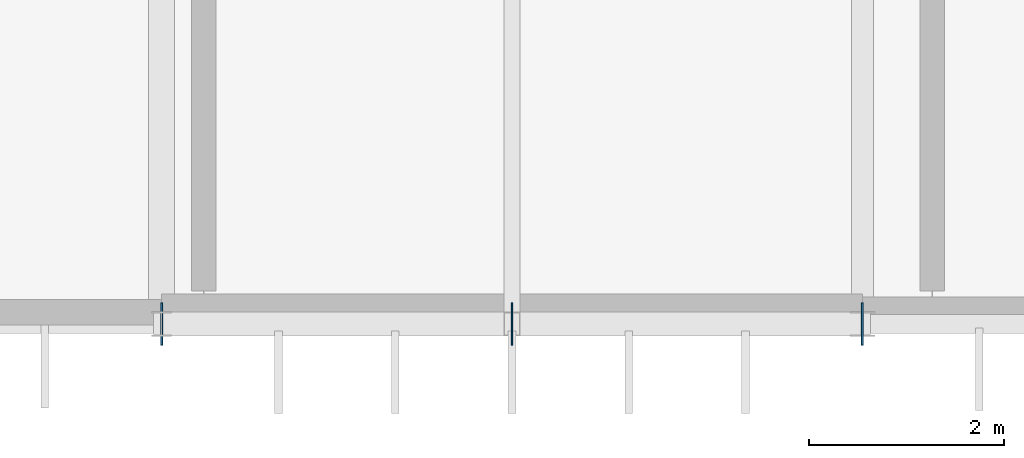
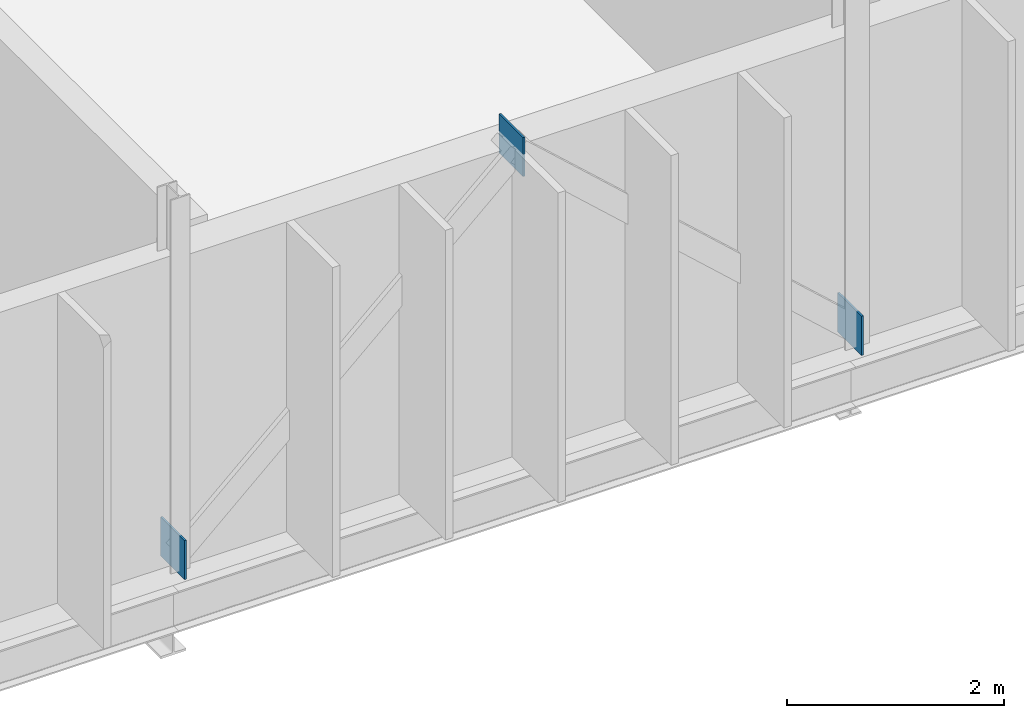
# One storey, part 84 of 119: 3 plates.
"""IFC4 building model written with IfcOpenShell, lengths in metres."""

from ifc_helpers import new_model, si_unit, direction, frame, origin, origin_2d, place, context, subcontext, project, spatial, rectangle, extrude, material, layer, layer_set, type_object, element, save


model = new_model("IFC4")

# Units and contexts
model_context = context("Model", 3, precision=1e-05, world=origin(), true_north=direction((0.0, 1.0)))
body_context = subcontext(model_context, "Body", "Model", "MODEL_VIEW")
ifc_project = project(units=[si_unit("LENGTHUNIT", "METRE"), si_unit("AREAUNIT", "SQUARE_METRE"), si_unit("VOLUMEUNIT", "CUBIC_METRE"), si_unit("PLANEANGLEUNIT", "RADIAN"), si_unit("MASSUNIT", "GRAM", prefix="KILO")], contexts=[model_context])

# Site, building, storey
site_placement = place(None, origin())
site = spatial("IfcSite", under=ifc_project, at=site_placement, CompositionType="ELEMENT")
building_placement = place(site_placement, origin())
building = spatial("IfcBuilding", under=site, at=building_placement, Name="Qelthora Terrace Specialist Clinic", CompositionType="ELEMENT")
storey_placement = place(building_placement, frame((0.0, 0.0, 4.800048828125)))
storey = spatial("IfcBuildingStorey", under=building, at=storey_placement, Name="L01", CompositionType="ELEMENT", Elevation=4.800048828125)

# Plates
ifc_material = material(Name="Steel S355", Category="steel")
ifc_layer = layer(ifc_material, 0.02001953125)
ifc_layer_set = layer_set([ifc_layer], Name="Steel S355")
plate_type = type_object("IfcPlateType", Name="PLT-GUS-480X480X20", PredefinedType="USERDEFINED", material=ifc_layer_set)
for number, where, z_axis, x_axis, name in (
    (1, (7.199951171875, 0.0, -0.0400390625), (0.0, 0.0, 1.0), (1.0, 0.0, 0.0), "Steel truss node plate GPLT-0146"),
    (2, (10.800048828125, 0.0, 3.22998046875), (0.0, 0.0, 1.0), (1.0, 0.0, 0.0), "Steel truss node plate GPLT-0147"),
    (3, (14.39990234375, 0.0, -0.0400390625), (0.0, 0.0, 1.0), (1.0, 0.0, 0.0), "Steel truss node plate GPLT-0148"),
):
    element("IfcPlate", number, at=place(storey_placement, frame(where, z_axis=z_axis, x_axis=x_axis)), inside=storey, type_object=plate_type, Name=name, ObjectType="GUSSET PLATE", PredefinedType="USERDEFINED", context=body_context, shape_type="SweptSolid", body=[
        extrude(rectangle(XDim=0.02001953125, YDim=0.43994140625, at=origin_2d()), origin(), (0.0, 0.0, 1.0), 0.43994140625),
    ])

save(model, "model.ifc")
